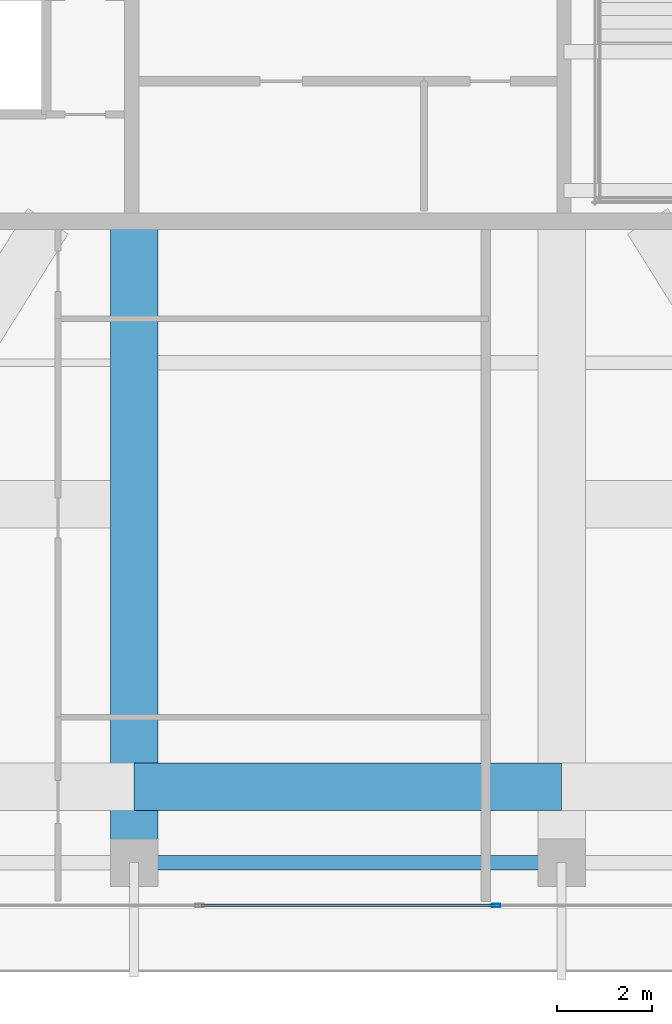
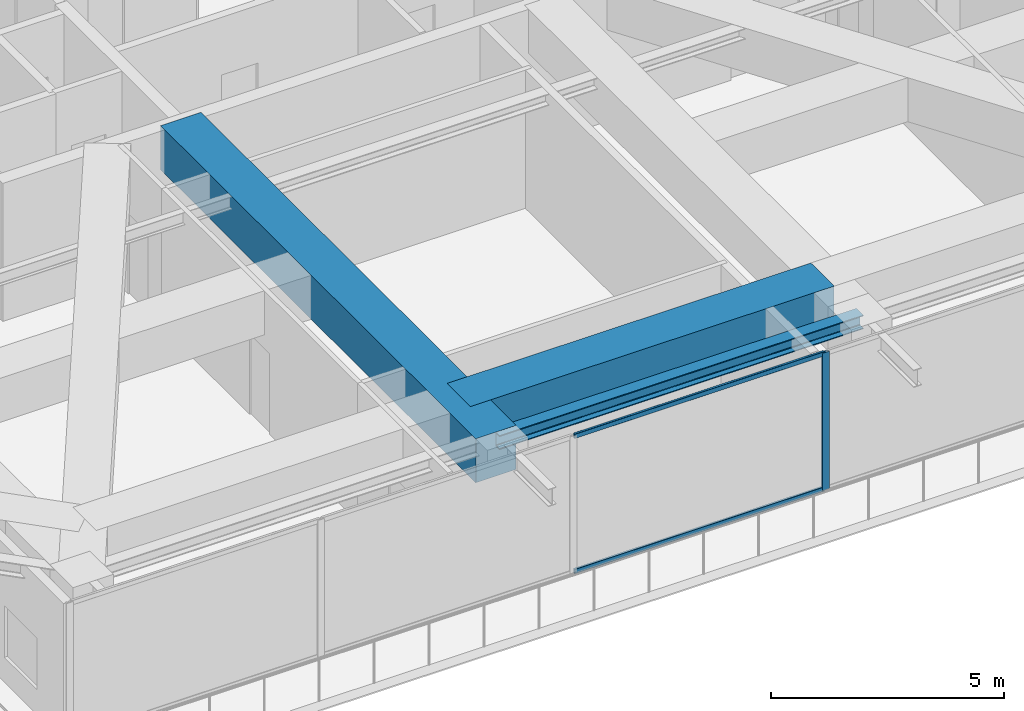
# One storey, part 7 of 40: 3 beams, 3 members, 1 element without a shape of its own.
"""IFC4 building model written with IfcOpenShell, lengths in metres."""

from ifc_helpers import new_model, si_unit, direction, frame, origin, origin_2d, place, context, subcontext, project, spatial, rectangle, hollow_rectangle, i_section, extrude, source, transform, mapped, material, layer, layer_set, material_profile, profile_set, type_object, element, aggregate, save


model = new_model("IFC4")

# Units and contexts
model_context = context("Model", 3, precision=1e-05, world=origin(), true_north=direction((0.0, 1.0)))
body_context = subcontext(model_context, "Body", "Model", "MODEL_VIEW")
ifc_project = project(units=[si_unit("LENGTHUNIT", "METRE"), si_unit("AREAUNIT", "SQUARE_METRE"), si_unit("VOLUMEUNIT", "CUBIC_METRE"), si_unit("PLANEANGLEUNIT", "RADIAN"), si_unit("MASSUNIT", "GRAM", prefix="KILO")], contexts=[model_context])

# Site, building, storey
site_placement = place(None, origin())
site = spatial("IfcSite", under=ifc_project, at=site_placement, CompositionType="ELEMENT")
building_placement = place(site_placement, origin())
building = spatial("IfcBuilding", under=site, at=building_placement, Name="Serunith Strait Residences", CompositionType="ELEMENT")
storey_placement = place(building_placement, frame((0.0, 0.0, 333.949951171875)))
storey = spatial("IfcBuildingStorey", under=building, at=storey_placement, Name="L83", CompositionType="ELEMENT", Elevation=333.949951171875)

# Beams
ifc_material_1 = material(Name="Concrete C80/95", Category="concrete")
ifc_material_profile_1 = material_profile(ifc_material_1, rectangle(XDim=1.0, YDim=1.14990234375, at=origin_2d()), Name="RC 1000x1150")
ifc_profile_set_1 = profile_set([ifc_material_profile_1], Name="Concrete C80/95")
beam_type_1 = type_object("IfcBeamType", Name="BM-XFER-1000x1150", PredefinedType="BEAM", material=ifc_profile_set_1)
shared_shape_1 = source(origin(), body_context, "Body", "SweptSolid", [
    extrude(rectangle(XDim=1.0, YDim=1.14990234375, at=origin_2d()), origin(), (0.0, 0.0, 1.0), 9.0),
])
beam_1_placement = place(storey_placement, frame((27.89990234375, 4.89990234375, 3.03515625), z_axis=(1.0, 0.0, 0.0), x_axis=(0.0, 1.0, 0.0)))
element("IfcBeam", 1, at=beam_1_placement, inside=storey, type_object=beam_type_1, Name="L83 Flare Upper Ring Transfer Girder 02", PredefinedType="BEAM", context=body_context, shape_type="MappedRepresentation", body=[
    mapped(shared_shape_1, transform((0.0, 0.0, 0.0), scale=1.0)),
])
ifc_material_2 = material(Name="Steel S355J2", Category="steel")
ifc_material_profile_2 = material_profile(ifc_material_2, i_section(OverallWidth=0.300048828125, OverallDepth=0.360107421875, WebThickness=0.012451171875, FlangeThickness=0.0224609375, FilletRadius=0.027099609375, at=origin_2d()), Name="HEB 360")
ifc_profile_set_2 = profile_set([ifc_material_profile_2], Name="Steel S355J2")
beam_type_2 = type_object("IfcBeamType", Name="BM-HEB360", PredefinedType="BEAM", material=ifc_profile_set_2)
shared_shape_2 = source(origin(), body_context, "Body", "SweptSolid", [
    extrude(i_section(OverallWidth=0.300048828125, OverallDepth=0.360107421875, WebThickness=0.012451171875, FlangeThickness=0.0224609375, FilletRadius=0.027099609375, at=origin_2d()), origin(), (0.0, 0.0, 1.0), 9.0),
])
beam_2_placement = place(storey_placement, frame((27.89990234375, 3.300048828125, 3.427001953125), z_axis=(1.0, 0.0, 0.0), x_axis=(0.0, 1.0, 0.0)))
element("IfcBeam", 2, at=beam_2_placement, inside=storey, type_object=beam_type_2, Name="L83 Perimeter Ring Beam 02", PredefinedType="BEAM", context=body_context, shape_type="MappedRepresentation", body=[
    mapped(shared_shape_2, transform((0.0, 0.0, 0.0), scale=1.0)),
])
shared_shape_3 = source(origin(), body_context, "Body", "SweptSolid", [
    extrude(rectangle(XDim=1.0, YDim=1.14990234375, at=origin_2d()), origin(), (0.0, 0.0, 1.0), 13.5),
])
beam_3_placement = place(storey_placement, frame((27.89990234375, 16.800048828125, 3.03515625), z_axis=(0.0, -1.0, 0.0), x_axis=(1.0, 0.0, 0.0)))
element("IfcBeam", 3, at=beam_3_placement, inside=storey, type_object=beam_type_1, Name="L83 Primary Floor Girder TC-S2", PredefinedType="BEAM", context=body_context, shape_type="MappedRepresentation", body=[
    mapped(shared_shape_3, transform((0.0, 0.0, 0.0), scale=1.0)),
])

# Curtain wall, members
ifc_material_3 = material(Name="Brushed Stainless-Silver Aluminium", Category="aluminium")
ifc_layer = layer(ifc_material_3, 0.199951171875, Name="Brushed Stainless-Silver Aluminium")
ifc_layer_set = layer_set([ifc_layer], Name="Brushed Stainless-Silver Aluminium")
curtain_wall_type = type_object("IfcCurtainWallType", Name="CW-SYS5", PredefinedType="NOTDEFINED", material=ifc_layer_set)
curtain_wall_placement = place(storey_placement, origin())
curtain_wall = element("IfcCurtainWall", 4, at=curtain_wall_placement, inside=storey, type_object=curtain_wall_type, Name="L83 S Unitised Fritted Curtain Wall", PredefinedType="NOTDEFINED")
ifc_material_profile_3 = material_profile(ifc_material_3, hollow_rectangle(XDim=0.06005859375, YDim=0.1201171875, WallThickness=0.00341796875, InnerFilletRadius=0.00537109375, OuterFilletRadius=0.0087890625, at=origin_2d()), Name="ALU 120x60x3.5")
ifc_profile_set_3 = profile_set([ifc_material_profile_3], Name="Brushed Stainless-Silver Aluminium")
member_type_1 = type_object("IfcMemberType", Name="CW-SYS5-TRAN", PredefinedType="USERDEFINED", material=ifc_profile_set_3)
shared_shape_4 = source(origin(), body_context, "Body", "SweptSolid", [
    extrude(hollow_rectangle(XDim=0.06005859375, YDim=0.1201171875, WallThickness=0.00341796875, InnerFilletRadius=0.00537109375, OuterFilletRadius=0.0087890625, at=origin_2d()), origin(), (0.0, 0.0, 1.0), 6.175048828125),
])
member_1_placement = place(storey_placement, frame((29.3125, 2.39990234375, 0.030029296875), z_axis=(1.0, 0.0, 0.0), x_axis=(0.0, 1.0, 0.0)))
member_1 = element("IfcMember", 5, at=member_1_placement, type_object=member_type_1, Name="CW-5 transom 3.1", ObjectType="TRANSOM", PredefinedType="USERDEFINED", context=body_context, shape_type="MappedRepresentation", body=[
    mapped(shared_shape_4, transform((0.0, 0.0, 0.0), scale=1.0)),
])
member_2_placement = place(storey_placement, frame((29.3125, 2.39990234375, 3.56494140625), z_axis=(1.0, 0.0, 0.0), x_axis=(0.0, 1.0, 0.0)))
member_2 = element("IfcMember", 6, at=member_2_placement, type_object=member_type_1, Name="CW-5 transom 3.2", ObjectType="TRANSOM", PredefinedType="USERDEFINED", context=body_context, shape_type="MappedRepresentation", body=[
    mapped(shared_shape_4, transform((0.0, 0.0, 0.0), scale=1.0)),
])
ifc_material_profile_4 = material_profile(ifc_material_3, hollow_rectangle(XDim=0.06494140625, YDim=0.179931640625, WallThickness=0.00341796875, InnerFilletRadius=0.00537109375, OuterFilletRadius=0.0087890625, at=origin_2d()), Name="ALU 180x65x3.5")
ifc_profile_set_4 = profile_set([ifc_material_profile_4], Name="Brushed Stainless-Silver Aluminium")
member_type_2 = type_object("IfcMemberType", Name="CW-SYS5-MULL", PredefinedType="MULLION", material=ifc_profile_set_4)
shared_shape_5 = source(origin(), body_context, "Body", "SweptSolid", [
    extrude(hollow_rectangle(XDim=0.06494140625, YDim=0.179931640625, WallThickness=0.00341796875, InnerFilletRadius=0.00537109375, OuterFilletRadius=0.0087890625, at=origin_2d()), origin(), (0.0, 0.0, 1.0), 3.594970703125),
])
member_3_placement = place(storey_placement, frame((35.52001953125, 2.39990234375, 0.0), z_axis=(0.0, 0.0, 1.0), x_axis=(0.0, 1.0, 0.0)))
member_3 = element("IfcMember", 7, at=member_3_placement, type_object=member_type_2, Name="CW-5 mullion 4", PredefinedType="MULLION", context=body_context, shape_type="MappedRepresentation", body=[
    mapped(shared_shape_5, transform((0.0, 0.0, 0.0), scale=1.0)),
])
aggregate(curtain_wall, [member_3, member_1, member_2])

save(model, "model.ifc")
